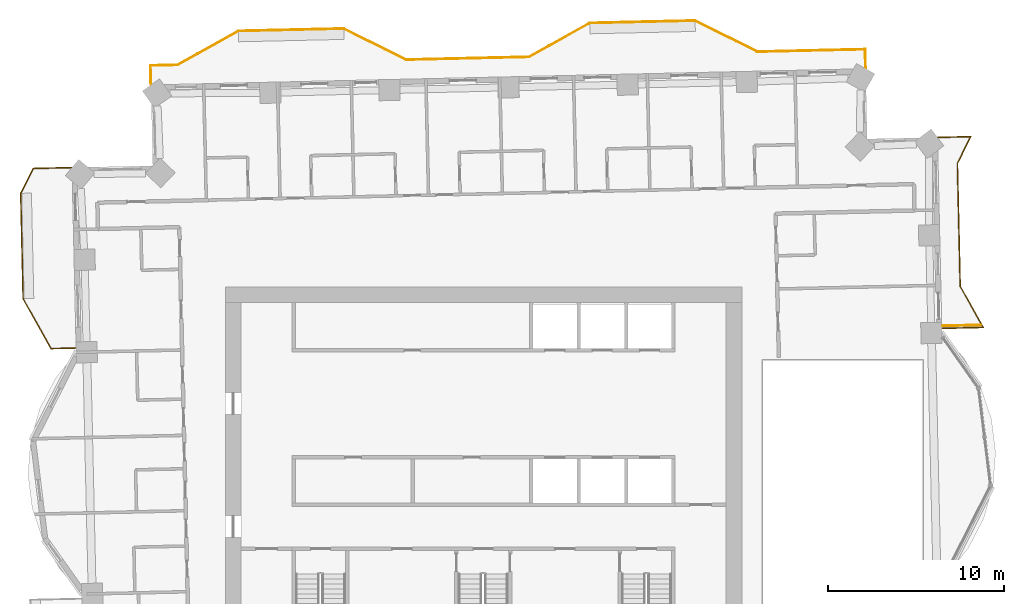
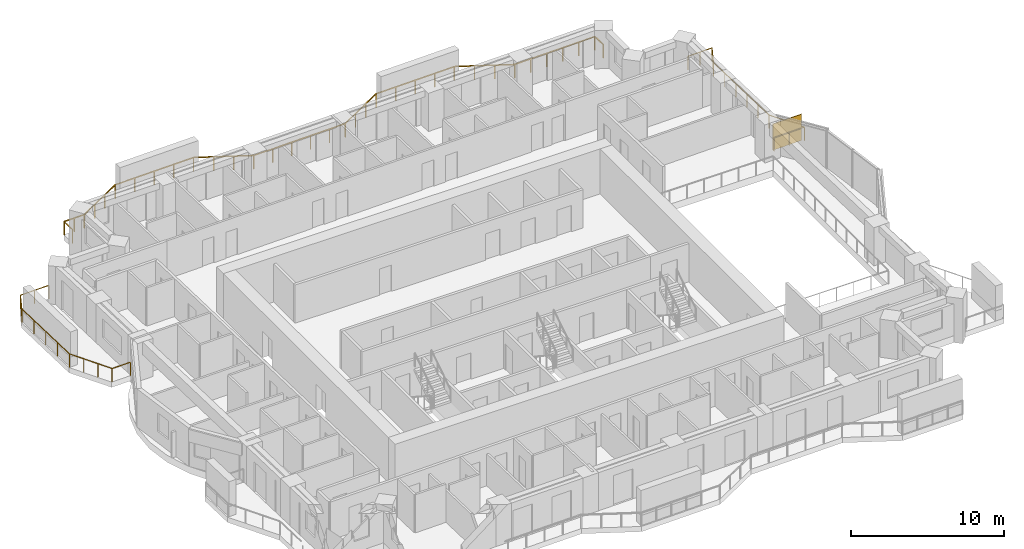
# One storey, part 14 of 14: 3 railings, 1 shading device.
"""IFC4 building model written with IfcOpenShell, lengths in metres."""

from ifc_helpers import new_model, si_unit, direction, frame, origin, origin_2d, place, context, subcontext, project, spatial, rectangle, extrude, material, type_object, element, save


model = new_model("IFC4")

# Units and contexts
model_context = context("Model", 3, precision=1e-05, world=origin(), true_north=direction((0.0, 1.0)))
body_context = subcontext(model_context, "Body", "Model", "MODEL_VIEW")
ifc_project = project(units=[si_unit("LENGTHUNIT", "METRE"), si_unit("AREAUNIT", "SQUARE_METRE"), si_unit("VOLUMEUNIT", "CUBIC_METRE"), si_unit("PLANEANGLEUNIT", "RADIAN"), si_unit("MASSUNIT", "GRAM", prefix="KILO")], contexts=[model_context])

# Site, building, storey
site_placement = place(None, origin())
site = spatial("IfcSite", under=ifc_project, at=site_placement, CompositionType="ELEMENT")
building_placement = place(site_placement, origin())
building = spatial("IfcBuilding", under=site, at=building_placement, Name="Mangrove Gate Tower", CompositionType="ELEMENT")
storey_placement = place(building_placement, frame((0.0, 0.0, 186.10009765625)))
storey = spatial("IfcBuildingStorey", under=building, at=storey_placement, Name="L47", CompositionType="ELEMENT", Elevation=186.10009765625)

# Railings
ifc_material_1 = material(Name="Stainless steel grade 316 with laminated glass infill", Category="steel")
railing_type = type_object("IfcRailingType", Name="Balcony guard 1100", PredefinedType="GUARDRAIL", material=ifc_material_1)
railing_1_placement = place(storey_placement, frame((26.112060546875, 9.333984375, 0.0)))
element("IfcRailing", 1, at=railing_1_placement, inside=storey, type_object=railing_type, Name="GUARD L47 E2", PredefinedType="GUARDRAIL", context=body_context, shape_type="SweptSolid", body=[
    extrude(rectangle(XDim=0.048095703125, YDim=0.048095703125, at=origin_2d()), frame((0.0, 0.0, 1.076171875), z_axis=(0.999747788443, 0.022457949688, 0.0), x_axis=(-0.022457949688, 0.999747788443, 0.0)), (0.0, 0.0, 1.0), 2.3154296875),
    extrude(rectangle(XDim=0.048095703125, YDim=0.048095703125, at=origin_2d()), frame((2.31494140625, 0.052001953125, 1.076171875), z_axis=(-0.487440307169, 0.873156313009, 0.0), x_axis=(-0.873156313009, -0.487440307169, 0.0)), (0.0, 0.0, 1.0), 2.685546875),
    extrude(rectangle(XDim=0.048095703125, YDim=0.048095703125, at=origin_2d()), frame((1.005859375, 2.39697265625, 1.076171875), z_axis=(-0.022702393474, 0.999742267452, 0.0), x_axis=(-0.999742267452, -0.022702393474, 0.0)), (0.0, 0.0, 1.0), 7.000732421875),
    extrude(rectangle(XDim=0.048095703125, YDim=0.048095703125, at=origin_2d()), frame((0.846923828125, 9.39599609375, 1.076171875), z_axis=(0.447443850914, 0.894312026241, 0.0), x_axis=(-0.894312026241, 0.447443850914, 0.0)), (0.0, 0.0, 1.0), 1.6962890625),
    extrude(rectangle(XDim=0.048095703125, YDim=0.048095703125, at=origin_2d()), frame((1.60595703125, 10.9130859375, 1.076171875), z_axis=(-0.999743329406, -0.02265558006, 0.0), x_axis=(0.02265558006, -0.999743329406, 0.0)), (0.0, 0.0, 1.0), 1.853515625),
    extrude(rectangle(XDim=0.0419921875, YDim=0.0419921875, at=origin_2d()), origin(), (0.0, 0.0, 1.0), 1.052001953125),
    extrude(rectangle(XDim=0.0419921875, YDim=0.0419921875, at=origin_2d()), frame((1.157470703125, 0.02587890625, 0.0)), (0.0, 0.0, 1.0), 1.052001953125),
    extrude(rectangle(XDim=0.0419921875, YDim=0.0419921875, at=origin_2d()), frame((2.31494140625, 0.052001953125, 0.0)), (0.0, 0.0, 1.0), 1.052001953125),
    extrude(rectangle(XDim=0.0419921875, YDim=0.0419921875, at=origin_2d()), frame((1.660400390625, 1.224609375, 0.0)), (0.0, 0.0, 1.0), 1.052001953125),
    extrude(rectangle(XDim=0.0419921875, YDim=0.0419921875, at=origin_2d()), frame((1.005859375, 2.39697265625, 0.0)), (0.0, 0.0, 1.0), 1.052001953125),
    extrude(rectangle(XDim=0.0419921875, YDim=0.0419921875, at=origin_2d()), frame((0.97412109375, 3.796875, 0.0)), (0.0, 0.0, 1.0), 1.052001953125),
    extrude(rectangle(XDim=0.0419921875, YDim=0.0419921875, at=origin_2d()), frame((0.9423828125, 5.196533203125, 0.0)), (0.0, 0.0, 1.0), 1.052001953125),
    extrude(rectangle(XDim=0.0419921875, YDim=0.0419921875, at=origin_2d()), frame((0.910400390625, 6.596435546875, 0.0)), (0.0, 0.0, 1.0), 1.052001953125),
    extrude(rectangle(XDim=0.0419921875, YDim=0.0419921875, at=origin_2d()), frame((0.878662109375, 7.99609375, 0.0)), (0.0, 0.0, 1.0), 1.052001953125),
    extrude(rectangle(XDim=0.0419921875, YDim=0.0419921875, at=origin_2d()), frame((0.846923828125, 9.39599609375, 0.0)), (0.0, 0.0, 1.0), 1.052001953125),
    extrude(rectangle(XDim=0.0419921875, YDim=0.0419921875, at=origin_2d()), frame((1.2265625, 10.154541015625, 0.0)), (0.0, 0.0, 1.0), 1.052001953125),
    extrude(rectangle(XDim=0.0419921875, YDim=0.0419921875, at=origin_2d()), frame((1.60595703125, 10.9130859375, 0.0)), (0.0, 0.0, 1.0), 1.052001953125),
    extrude(rectangle(XDim=0.0419921875, YDim=0.0419921875, at=origin_2d()), frame((0.679443359375, 10.89208984375, 0.0)), (0.0, 0.0, 1.0), 1.052001953125),
    extrude(rectangle(XDim=0.0419921875, YDim=0.0419921875, at=origin_2d()), frame((-0.2470703125, 10.87109375, 0.0)), (0.0, 0.0, 1.0), 1.052001953125),
])
railing_2_placement = place(storey_placement, frame((21.735107421875, 24.153076171875, 0.0)))
element("IfcRailing", 2, at=railing_2_placement, inside=storey, type_object=railing_type, Name="GUARD L47 N1", PredefinedType="GUARDRAIL", context=body_context, shape_type="SweptSolid", body=[
    extrude(rectangle(XDim=0.048095703125, YDim=0.048095703125, at=origin_2d()), frame((0.0, 0.0, 1.076171875), z_axis=(-0.022820894023, 0.999739569486, 0.0), x_axis=(-0.999739569486, -0.022820894023, 0.0)), (0.0, 0.0, 1.0), 1.05908203125),
    extrude(rectangle(XDim=0.048095703125, YDim=0.048095703125, at=origin_2d()), frame((-0.024169921875, 1.058837890625, 1.076171875), z_axis=(-0.999744068049, -0.02262296181, 0.0), x_axis=(0.02262296181, -0.999744068049, 0.0)), (0.0, 0.0, 1.0), 6.140380859375),
    extrude(rectangle(XDim=0.048095703125, YDim=0.048095703125, at=origin_2d()), frame((-6.1630859375, 0.919921875, 1.076171875), z_axis=(-0.894476522376, 0.447114919141, 0.0), x_axis=(-0.447114919141, -0.894476522376, 0.0)), (0.0, 0.0, 1.0), 3.958740234375),
    extrude(rectangle(XDim=0.048095703125, YDim=0.048095703125, at=origin_2d()), frame((-9.7041015625, 2.68994140625, 1.076171875), z_axis=(-0.999743094499, -0.022665943652, 0.0), x_axis=(0.022665943652, -0.999743094499, 0.0)), (0.0, 0.0, 1.0), 5.99951171875),
    extrude(rectangle(XDim=0.048095703125, YDim=0.048095703125, at=origin_2d()), frame((-15.7021484375, 2.553955078125, 1.076171875), z_axis=(-0.87325689943, -0.48726008209, 0.0), x_axis=(0.48726008209, -0.87325689943, 0.0)), (0.0, 0.0, 1.0), 3.958740234375),
    extrude(rectangle(XDim=0.048095703125, YDim=0.048095703125, at=origin_2d()), frame((-19.1591796875, 0.625, 1.076171875), z_axis=(-0.999745080635, -0.022578169675, 0.0), x_axis=(0.022578169675, -0.999745080635, 0.0)), (0.0, 0.0, 1.0), 1.2001953125),
    extrude(rectangle(XDim=0.048095703125, YDim=0.048095703125, at=origin_2d()), frame((-20.359130859375, 0.597900390625, 1.076171875), z_axis=(-0.999740726178, -0.022770165152, 0.0), x_axis=(0.022770165152, -0.999740726178, 0.0)), (0.0, 0.0, 1.0), 5.800537109375),
    extrude(rectangle(XDim=0.048095703125, YDim=0.048095703125, at=origin_2d()), frame((-26.158203125, 0.4658203125, 1.076171875), z_axis=(-0.894476522376, 0.447114919141, 0.0), x_axis=(-0.447114919141, -0.894476522376, 0.0)), (0.0, 0.0, 1.0), 3.958740234375),
    extrude(rectangle(XDim=0.048095703125, YDim=0.048095703125, at=origin_2d()), frame((-29.69921875, 2.23583984375, 1.076171875), z_axis=(-0.999743073592, -0.022666865795, 0.0), x_axis=(0.022666865795, -0.999743073592, 0.0)), (0.0, 0.0, 1.0), 5.999267578125),
    extrude(rectangle(XDim=0.048095703125, YDim=0.048095703125, at=origin_2d()), frame((-35.697021484375, 2.099853515625, 1.076171875), z_axis=(-0.87325689943, -0.48726008209, 0.0), x_axis=(0.48726008209, -0.87325689943, 0.0)), (0.0, 0.0, 1.0), 3.958740234375),
    extrude(rectangle(XDim=0.048095703125, YDim=0.048095703125, at=origin_2d()), frame((-39.154052734375, 0.1708984375, 1.076171875), z_axis=(-0.999743143029, -0.02266380302, 0.0), x_axis=(0.02266380302, -0.999743143029, 0.0)), (0.0, 0.0, 1.0), 1.54052734375),
    extrude(rectangle(XDim=0.048095703125, YDim=0.048095703125, at=origin_2d()), frame((-40.694091796875, 0.135986328125, 1.076171875), z_axis=(0.022585293253, -0.999744919731, 0.0), x_axis=(0.999744919731, 0.022585293253, 0.0)), (0.0, 0.0, 1.0), 1.059326171875),
    extrude(rectangle(XDim=0.0419921875, YDim=0.0419921875, at=origin_2d()), origin(), (0.0, 0.0, 1.0), 1.052001953125),
    extrude(rectangle(XDim=0.0419921875, YDim=0.0419921875, at=origin_2d()), frame((-0.024169921875, 1.058837890625, 0.0)), (0.0, 0.0, 1.0), 1.052001953125),
    extrude(rectangle(XDim=0.0419921875, YDim=0.0419921875, at=origin_2d()), frame((-1.251953125, 1.031005859375, 0.0)), (0.0, 0.0, 1.0), 1.052001953125),
    extrude(rectangle(XDim=0.0419921875, YDim=0.0419921875, at=origin_2d()), frame((-2.479736328125, 1.003173828125, 0.0)), (0.0, 0.0, 1.0), 1.052001953125),
    extrude(rectangle(XDim=0.0419921875, YDim=0.0419921875, at=origin_2d()), frame((-3.70751953125, 0.9755859375, 0.0)), (0.0, 0.0, 1.0), 1.052001953125),
    extrude(rectangle(XDim=0.0419921875, YDim=0.0419921875, at=origin_2d()), frame((-4.935302734375, 0.94775390625, 0.0)), (0.0, 0.0, 1.0), 1.052001953125),
    extrude(rectangle(XDim=0.0419921875, YDim=0.0419921875, at=origin_2d()), frame((-6.1630859375, 0.919921875, 0.0)), (0.0, 0.0, 1.0), 1.052001953125),
    extrude(rectangle(XDim=0.0419921875, YDim=0.0419921875, at=origin_2d()), frame((-7.343505859375, 1.510009765625, 0.0)), (0.0, 0.0, 1.0), 1.052001953125),
    extrude(rectangle(XDim=0.0419921875, YDim=0.0419921875, at=origin_2d()), frame((-8.523681640625, 2.099853515625, 0.0)), (0.0, 0.0, 1.0), 1.052001953125),
    extrude(rectangle(XDim=0.0419921875, YDim=0.0419921875, at=origin_2d()), frame((-9.7041015625, 2.68994140625, 0.0)), (0.0, 0.0, 1.0), 1.052001953125),
    extrude(rectangle(XDim=0.0419921875, YDim=0.0419921875, at=origin_2d()), frame((-11.20361328125, 2.656005859375, 0.0)), (0.0, 0.0, 1.0), 1.052001953125),
    extrude(rectangle(XDim=0.0419921875, YDim=0.0419921875, at=origin_2d()), frame((-12.703125, 2.6220703125, 0.0)), (0.0, 0.0, 1.0), 1.052001953125),
    extrude(rectangle(XDim=0.0419921875, YDim=0.0419921875, at=origin_2d()), frame((-14.20263671875, 2.587890625, 0.0)), (0.0, 0.0, 1.0), 1.052001953125),
    extrude(rectangle(XDim=0.0419921875, YDim=0.0419921875, at=origin_2d()), frame((-15.7021484375, 2.553955078125, 0.0)), (0.0, 0.0, 1.0), 1.052001953125),
    extrude(rectangle(XDim=0.0419921875, YDim=0.0419921875, at=origin_2d()), frame((-16.8544921875, 1.910888671875, 0.0)), (0.0, 0.0, 1.0), 1.052001953125),
    extrude(rectangle(XDim=0.0419921875, YDim=0.0419921875, at=origin_2d()), frame((-18.0068359375, 1.26806640625, 0.0)), (0.0, 0.0, 1.0), 1.052001953125),
    extrude(rectangle(XDim=0.0419921875, YDim=0.0419921875, at=origin_2d()), frame((-19.1591796875, 0.625, 0.0)), (0.0, 0.0, 1.0), 1.052001953125),
    extrude(rectangle(XDim=0.0419921875, YDim=0.0419921875, at=origin_2d()), frame((-20.359130859375, 0.597900390625, 0.0)), (0.0, 0.0, 1.0), 1.052001953125),
    extrude(rectangle(XDim=0.0419921875, YDim=0.0419921875, at=origin_2d()), frame((-21.808837890625, 0.56494140625, 0.0)), (0.0, 0.0, 1.0), 1.052001953125),
    extrude(rectangle(XDim=0.0419921875, YDim=0.0419921875, at=origin_2d()), frame((-23.2587890625, 0.53173828125, 0.0)), (0.0, 0.0, 1.0), 1.052001953125),
    extrude(rectangle(XDim=0.0419921875, YDim=0.0419921875, at=origin_2d()), frame((-24.70849609375, 0.498779296875, 0.0)), (0.0, 0.0, 1.0), 1.052001953125),
    extrude(rectangle(XDim=0.0419921875, YDim=0.0419921875, at=origin_2d()), frame((-26.158203125, 0.4658203125, 0.0)), (0.0, 0.0, 1.0), 1.052001953125),
    extrude(rectangle(XDim=0.0419921875, YDim=0.0419921875, at=origin_2d()), frame((-27.338623046875, 1.055908203125, 0.0)), (0.0, 0.0, 1.0), 1.052001953125),
    extrude(rectangle(XDim=0.0419921875, YDim=0.0419921875, at=origin_2d()), frame((-28.518798828125, 1.645751953125, 0.0)), (0.0, 0.0, 1.0), 1.052001953125),
    extrude(rectangle(XDim=0.0419921875, YDim=0.0419921875, at=origin_2d()), frame((-29.69921875, 2.23583984375, 0.0)), (0.0, 0.0, 1.0), 1.052001953125),
    extrude(rectangle(XDim=0.0419921875, YDim=0.0419921875, at=origin_2d()), frame((-31.19873046875, 2.201904296875, 0.0)), (0.0, 0.0, 1.0), 1.052001953125),
    extrude(rectangle(XDim=0.0419921875, YDim=0.0419921875, at=origin_2d()), frame((-32.6982421875, 2.16796875, 0.0)), (0.0, 0.0, 1.0), 1.052001953125),
    extrude(rectangle(XDim=0.0419921875, YDim=0.0419921875, at=origin_2d()), frame((-34.197509765625, 2.1337890625, 0.0)), (0.0, 0.0, 1.0), 1.052001953125),
    extrude(rectangle(XDim=0.0419921875, YDim=0.0419921875, at=origin_2d()), frame((-35.697021484375, 2.099853515625, 0.0)), (0.0, 0.0, 1.0), 1.052001953125),
    extrude(rectangle(XDim=0.0419921875, YDim=0.0419921875, at=origin_2d()), frame((-36.849365234375, 1.456787109375, 0.0)), (0.0, 0.0, 1.0), 1.052001953125),
    extrude(rectangle(XDim=0.0419921875, YDim=0.0419921875, at=origin_2d()), frame((-38.001708984375, 0.81396484375, 0.0)), (0.0, 0.0, 1.0), 1.052001953125),
    extrude(rectangle(XDim=0.0419921875, YDim=0.0419921875, at=origin_2d()), frame((-39.154052734375, 0.1708984375, 0.0)), (0.0, 0.0, 1.0), 1.052001953125),
    extrude(rectangle(XDim=0.0419921875, YDim=0.0419921875, at=origin_2d()), frame((-39.924072265625, 0.1533203125, 0.0)), (0.0, 0.0, 1.0), 1.052001953125),
    extrude(rectangle(XDim=0.0419921875, YDim=0.0419921875, at=origin_2d()), frame((-40.694091796875, 0.135986328125, 0.0)), (0.0, 0.0, 1.0), 1.052001953125),
    extrude(rectangle(XDim=0.0419921875, YDim=0.0419921875, at=origin_2d()), frame((-40.670166015625, -0.923095703125, 0.0)), (0.0, 0.0, 1.0), 1.052001953125),
])
railing_3_placement = place(storey_placement, frame((-23.468017578125, 18.486083984375, 0.0)))
element("IfcRailing", 3, at=railing_3_placement, inside=storey, type_object=railing_type, Name="GUARD L47 W1", PredefinedType="GUARDRAIL", context=body_context, shape_type="SweptSolid", body=[
    extrude(rectangle(XDim=0.048095703125, YDim=0.048095703125, at=origin_2d()), frame((0.0, 0.0, 1.076171875), z_axis=(-0.999734113432, -0.023058673858, 0.0), x_axis=(0.023058673858, -0.999734113432, 0.0)), (0.0, 0.0, 1.0), 2.17041015625),
    extrude(rectangle(XDim=0.048095703125, YDim=0.048095703125, at=origin_2d()), frame((-2.169921875, -0.050048828125, 1.076171875), z_axis=(-0.4472135955, -0.894427191, 0.0), x_axis=(0.894427191, -0.4472135955, 0.0)), (0.0, 0.0, 1.0), 1.583251953125),
    extrude(rectangle(XDim=0.048095703125, YDim=0.048095703125, at=origin_2d()), frame((-2.8779296875, -1.466064453125, 1.076171875), z_axis=(0.022665943652, -0.999743094499, 0.0), x_axis=(0.999743094499, 0.022665943652, 0.0)), (0.0, 0.0, 1.0), 5.99951171875),
    extrude(rectangle(XDim=0.048095703125, YDim=0.048095703125, at=origin_2d()), frame((-2.741943359375, -7.464111328125, 1.076171875), z_axis=(0.487318241117, -0.873224445303, 0.0), x_axis=(0.873224445303, 0.487318241117, 0.0)), (0.0, 0.0, 1.0), 3.25244140625),
    extrude(rectangle(XDim=0.048095703125, YDim=0.048095703125, at=origin_2d()), frame((-1.156982421875, -10.30419921875, 1.076171875), z_axis=(0.999751267222, 0.022302548909, 0.0), x_axis=(-0.022302548909, 0.999751267222, 0.0)), (0.0, 0.0, 1.0), 1.39013671875),
    extrude(rectangle(XDim=0.0419921875, YDim=0.0419921875, at=origin_2d()), origin(), (0.0, 0.0, 1.0), 1.052001953125),
    extrude(rectangle(XDim=0.0419921875, YDim=0.0419921875, at=origin_2d()), frame((-1.0849609375, -0.02490234375, 0.0)), (0.0, 0.0, 1.0), 1.052001953125),
    extrude(rectangle(XDim=0.0419921875, YDim=0.0419921875, at=origin_2d()), frame((-2.169921875, -0.050048828125, 0.0)), (0.0, 0.0, 1.0), 1.052001953125),
    extrude(rectangle(XDim=0.0419921875, YDim=0.0419921875, at=origin_2d()), frame((-2.52392578125, -0.758056640625, 0.0)), (0.0, 0.0, 1.0), 1.052001953125),
    extrude(rectangle(XDim=0.0419921875, YDim=0.0419921875, at=origin_2d()), frame((-2.8779296875, -1.466064453125, 0.0)), (0.0, 0.0, 1.0), 1.052001953125),
    extrude(rectangle(XDim=0.0419921875, YDim=0.0419921875, at=origin_2d()), frame((-2.843994140625, -2.965576171875, 0.0)), (0.0, 0.0, 1.0), 1.052001953125),
    extrude(rectangle(XDim=0.0419921875, YDim=0.0419921875, at=origin_2d()), frame((-2.81005859375, -4.465087890625, 0.0)), (0.0, 0.0, 1.0), 1.052001953125),
    extrude(rectangle(XDim=0.0419921875, YDim=0.0419921875, at=origin_2d()), frame((-2.77587890625, -5.964599609375, 0.0)), (0.0, 0.0, 1.0), 1.052001953125),
    extrude(rectangle(XDim=0.0419921875, YDim=0.0419921875, at=origin_2d()), frame((-2.741943359375, -7.464111328125, 0.0)), (0.0, 0.0, 1.0), 1.052001953125),
    extrude(rectangle(XDim=0.0419921875, YDim=0.0419921875, at=origin_2d()), frame((-2.213623046875, -8.410888671875, 0.0)), (0.0, 0.0, 1.0), 1.052001953125),
    extrude(rectangle(XDim=0.0419921875, YDim=0.0419921875, at=origin_2d()), frame((-1.685302734375, -9.357421875, 0.0)), (0.0, 0.0, 1.0), 1.052001953125),
    extrude(rectangle(XDim=0.0419921875, YDim=0.0419921875, at=origin_2d()), frame((-1.156982421875, -10.30419921875, 0.0)), (0.0, 0.0, 1.0), 1.052001953125),
    extrude(rectangle(XDim=0.0419921875, YDim=0.0419921875, at=origin_2d()), frame((0.23291015625, -10.273193359375, 0.0)), (0.0, 0.0, 1.0), 1.052001953125),
])

# Shading device
ifc_material_2 = material(Name="Timber slat screen in teak", Category="wood")
shading_device_type = type_object("IfcShadingDeviceType", Name="Balcony screen 2100", PredefinedType="USERDEFINED", material=ifc_material_2)
shading_device_placement = place(storey_placement, frame((27.18603515625, 9.498046875, -0.000244140625), z_axis=(0.0, 0.0, 1.0), x_axis=(0.999745767327, 0.02254774295, 0.0)))
element("IfcShadingDevice", 4, at=shading_device_placement, inside=storey, type_object=shading_device_type, Name="SCREEN L47 E1", ObjectType="SCREEN", PredefinedType="USERDEFINED", context=body_context, shape_type="SweptSolid", body=[
    extrude(rectangle(XDim=2.196044921875, YDim=0.050048828125, at=origin_2d()), origin(), (0.0, 0.0, 1.0), 2.10009765625),
])

save(model, "model.ifc")
